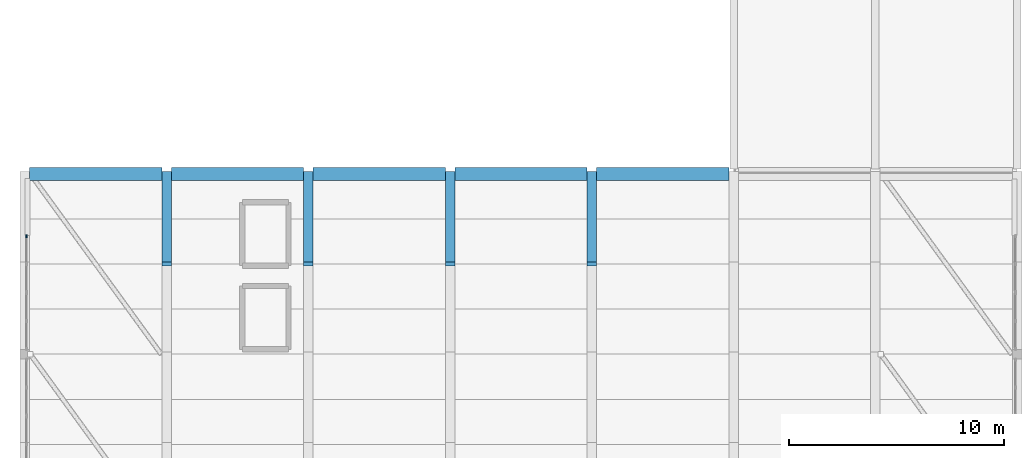
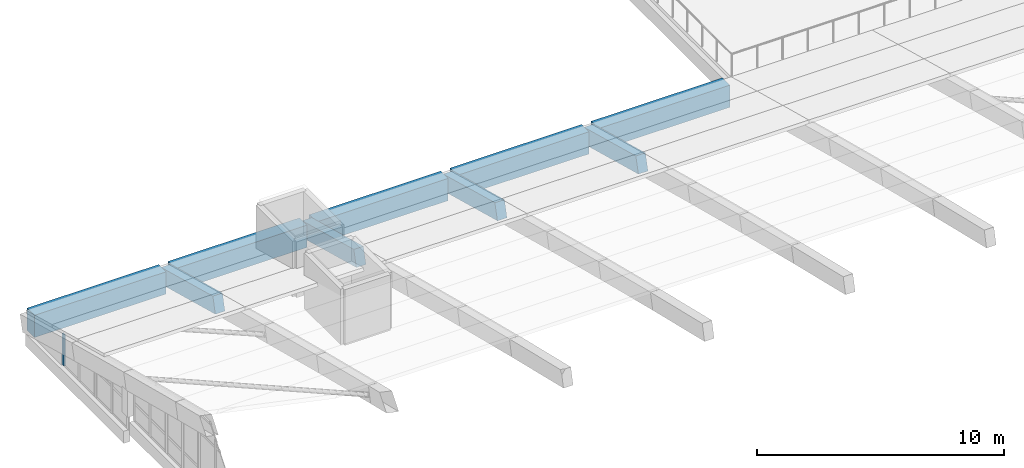
# One storey, part 15 of 78: 9 beams, 1 member, 1 element without a shape of its own.
"""IFC4 building model written with IfcOpenShell, lengths in metres."""

from ifc_helpers import new_model, si_unit, direction, frame, origin, origin_2d, place, context, subcontext, project, spatial, rectangle, extrude, material, material_profile, profile_set, type_object, element, aggregate, save


model = new_model("IFC4")

# Units and contexts
model_context = context("Model", 3, precision=1e-05, world=origin(), true_north=direction((0.0, 1.0)))
body_context = subcontext(model_context, "Body", "Model", "MODEL_VIEW")
ifc_project = project(units=[si_unit("LENGTHUNIT", "METRE"), si_unit("AREAUNIT", "SQUARE_METRE"), si_unit("VOLUMEUNIT", "CUBIC_METRE"), si_unit("PLANEANGLEUNIT", "RADIAN"), si_unit("MASSUNIT", "GRAM", prefix="KILO")], contexts=[model_context])

# Site, building, storey
site_placement = place(None, origin())
site = spatial("IfcSite", under=ifc_project, at=site_placement, CompositionType="ELEMENT")
building_placement = place(site_placement, origin())
building = spatial("IfcBuilding", under=site, at=building_placement, Name="Qaldarim Faculty of Natural and Applied Sciences", CompositionType="ELEMENT")
storey_placement = place(building_placement, frame((0.0, 0.0, 18.60009765625)))
storey = spatial("IfcBuildingStorey", under=building, at=storey_placement, Name="L04", CompositionType="ELEMENT", Elevation=18.60009765625)

# Curtain wall, member
ifc_material_1 = material(Name="Anodised aluminium AW-6063", Category="aluminium")
curtain_wall_type = type_object("IfcCurtainWallType", Name="CurtainWallSystem-M1500", PredefinedType="USERDEFINED", material=ifc_material_1)
curtain_wall_placement = place(storey_placement, origin())
curtain_wall = element("IfcCurtainWall", 1, at=curtain_wall_placement, inside=storey, type_object=curtain_wall_type, Name="Curtain wall CW-GABLE-L04-W-Y10-2", ObjectType="STICK CURTAIN WALL", PredefinedType="USERDEFINED")
ifc_material_profile_1 = material_profile(ifc_material_1, rectangle(XDim=0.06005859375, YDim=0.14990234375, at=origin_2d()), Name="ALU-M60x150")
ifc_profile_set_1 = profile_set([ifc_material_profile_1], Name="Anodised aluminium AW-6063")
member_type = type_object("IfcMemberType", Name="Mullion-ALU60x150", PredefinedType="MULLION", material=ifc_profile_set_1)
member_placement = place(storey_placement, frame((0.080078125, 81.090087890625, -0.97998046875), z_axis=(0.0, 0.0, 1.0), x_axis=(1.0, 0.0, 0.0)))
member = element("IfcMember", 2, at=member_placement, type_object=member_type, Name="Mullion 1 of CW-GABLE-L04-W-Y10-2", PredefinedType="MULLION", context=body_context, shape_type="SweptSolid", body=[
    extrude(rectangle(XDim=0.06005859375, YDim=0.14990234375, at=origin_2d()), origin(), (0.0, 0.0, 1.0), 1.554931640625),
])
aggregate(curtain_wall, [member])

# Beams
ifc_material_2 = material(Name="Concrete C50/60", Category="concrete")
ifc_material_profile_2 = material_profile(ifc_material_2, rectangle(XDim=0.449951171875, YDim=0.800048828125, at=origin_2d()), Name="RC-RIB450x800")
ifc_profile_set_2 = profile_set([ifc_material_profile_2], Name="Concrete C50/60")
beam_type_1 = type_object("IfcBeamType", Name="ShellArchRib-RC450x800", PredefinedType="BEAM", material=ifc_profile_set_2)
for number, where, z_axis, x_axis, name in (
    (3, (6.60009765625, 84.0, -0.56005859375), (0.0, -0.965947299715, 0.258738891884), (1.0, 0.0, 0.0), "Shell arch rib 2 N segment 1"),
    (4, (13.199951171875, 84.0, -0.56005859375), (0.0, -0.965947299715, 0.258738891884), (1.0, 0.0, 0.0), "Shell arch rib 3 N segment 1"),
    (5, (19.800048828125, 84.0, -0.56005859375), (0.0, -0.965947299715, 0.258738891884), (1.0, 0.0, 0.0), "Shell arch rib 4 N segment 1"),
    (6, (26.39990234375, 84.0, -0.56005859375), (0.0, -0.965947299715, 0.258738891884), (1.0, 0.0, 0.0), "Shell arch rib 5 N segment 1"),
):
    element("IfcBeam", number, at=place(storey_placement, frame(where, z_axis=z_axis, x_axis=x_axis)), inside=storey, type_object=beam_type_1, Name=name, PredefinedType="BEAM", context=body_context, shape_type="SweptSolid", body=[
        extrude(rectangle(XDim=0.449951171875, YDim=0.800048828125, at=origin_2d()), origin(), (0.0, 0.0, 1.0), 4.347900390625),
    ])
ifc_material_profile_3 = material_profile(ifc_material_2, rectangle(XDim=0.60009765625, YDim=1.10009765625, at=origin_2d()), Name="RC-EB600x1100")
ifc_profile_set_3 = profile_set([ifc_material_profile_3], Name="Concrete C50/60")
beam_type_2 = type_object("IfcBeamType", Name="ShellEdgeBeam-RC600x1100", PredefinedType="SPANDREL", material=ifc_profile_set_3)
beam_1_placement = place(storey_placement, frame((0.22509765625, 84.0, -0.7001953125), z_axis=(1.0, 0.0, 0.0), x_axis=(0.0, 1.0, 0.0)))
element("IfcBeam", 7, at=beam_1_placement, inside=storey, type_object=beam_type_2, Name="Shell springing edge beam N bay 1", PredefinedType="SPANDREL", context=body_context, shape_type="SweptSolid", body=[
    extrude(rectangle(XDim=0.60009765625, YDim=1.10009765625, at=origin_2d()), origin(), (0.0, 0.0, 1.0), 6.14990234375),
])
beam_2_placement = place(storey_placement, frame((6.824951171875, 84.0, -0.7001953125), z_axis=(1.0, 0.0, 0.0), x_axis=(0.0, 1.0, 0.0)))
element("IfcBeam", 8, at=beam_2_placement, inside=storey, type_object=beam_type_2, Name="Shell springing edge beam N bay 2", PredefinedType="SPANDREL", context=body_context, shape_type="SweptSolid", body=[
    extrude(rectangle(XDim=0.60009765625, YDim=1.10009765625, at=origin_2d()), origin(), (0.0, 0.0, 1.0), 6.150146484375),
])
beam_3_placement = place(storey_placement, frame((13.425048828125, 84.0, -0.7001953125), z_axis=(1.0, 0.0, 0.0), x_axis=(0.0, 1.0, 0.0)))
element("IfcBeam", 9, at=beam_3_placement, inside=storey, type_object=beam_type_2, Name="Shell springing edge beam N bay 3", PredefinedType="SPANDREL", context=body_context, shape_type="SweptSolid", body=[
    extrude(rectangle(XDim=0.60009765625, YDim=1.10009765625, at=origin_2d()), origin(), (0.0, 0.0, 1.0), 6.14990234375),
])
beam_4_placement = place(storey_placement, frame((20.02490234375, 84.0, -0.7001953125), z_axis=(1.0, 0.0, 0.0), x_axis=(0.0, 1.0, 0.0)))
element("IfcBeam", 10, at=beam_4_placement, inside=storey, type_object=beam_type_2, Name="Shell springing edge beam N bay 4", PredefinedType="SPANDREL", context=body_context, shape_type="SweptSolid", body=[
    extrude(rectangle(XDim=0.60009765625, YDim=1.10009765625, at=origin_2d()), origin(), (0.0, 0.0, 1.0), 6.150146484375),
])
beam_5_placement = place(storey_placement, frame((26.625, 84.0, -0.7001953125), z_axis=(1.0, 0.0, 0.0), x_axis=(0.0, 1.0, 0.0)))
element("IfcBeam", 11, at=beam_5_placement, inside=storey, type_object=beam_type_2, Name="Shell springing edge beam N bay 5", PredefinedType="SPANDREL", context=body_context, shape_type="SweptSolid", body=[
    extrude(rectangle(XDim=0.60009765625, YDim=1.10009765625, at=origin_2d()), origin(), (0.0, 0.0, 1.0), 6.14990234375),
])

save(model, "model.ifc")
